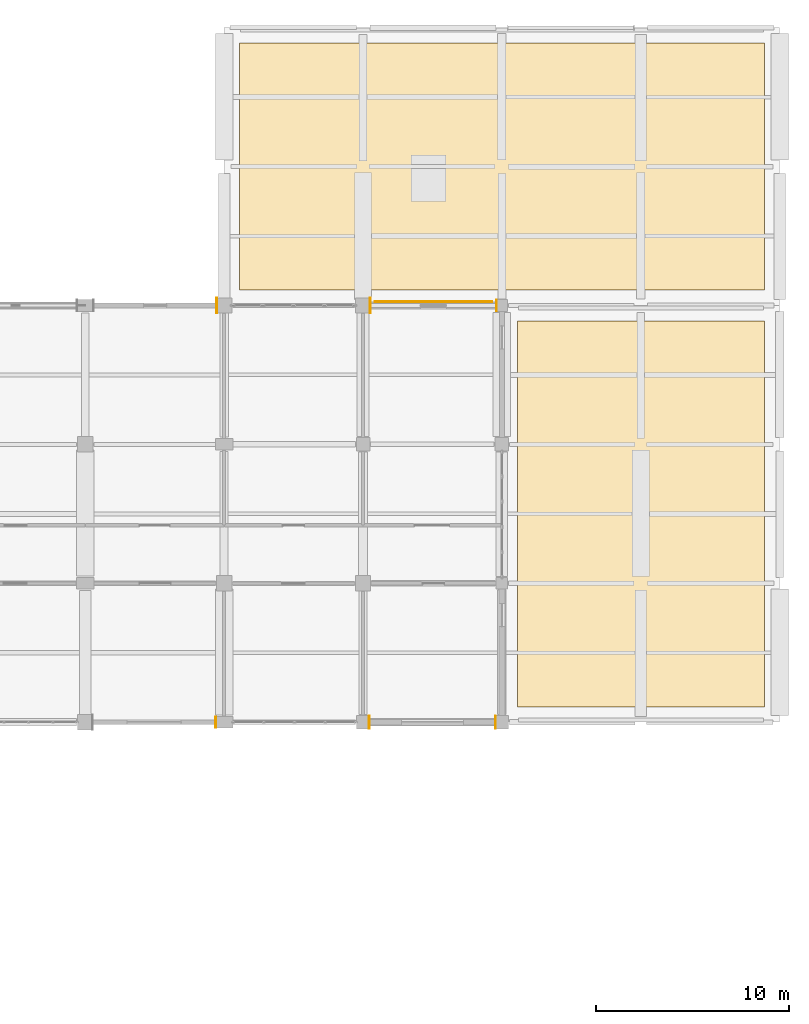
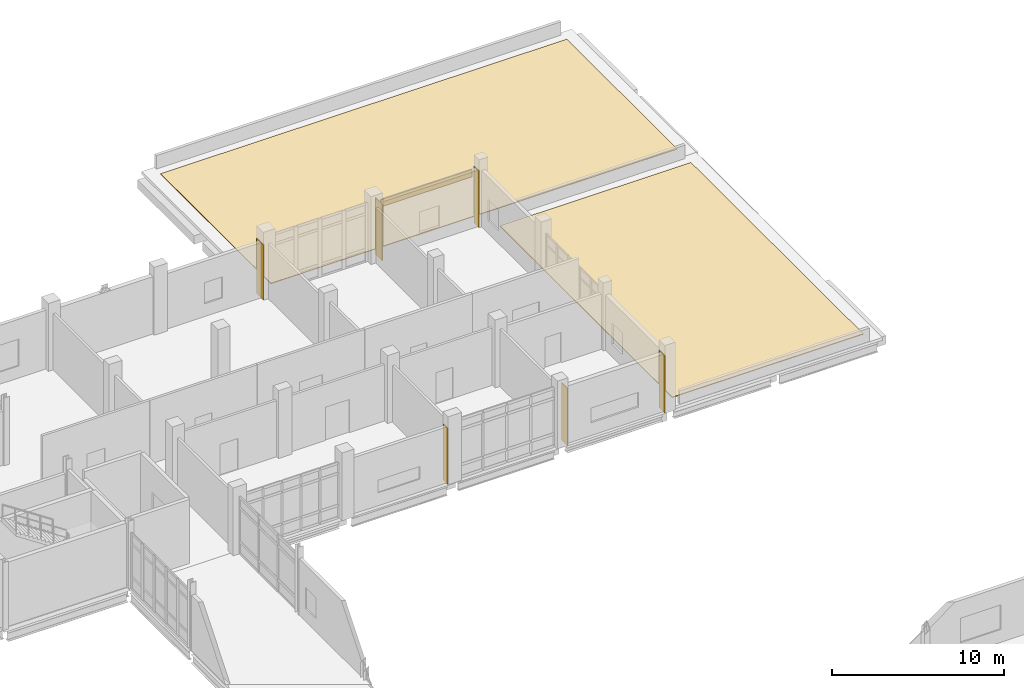
# One storey, part 186 of 186: 9 coverings.
"""IFC4 building model written with IfcOpenShell, lengths in metres."""

from ifc_helpers import new_model, si_unit, direction, frame, origin, origin_2d, place, context, subcontext, project, spatial, polyline, rectangle, outline, extrude, material, layer, layer_set, type_object, element, save


model = new_model("IFC4")

# Units and contexts
model_context = context("Model", 3, precision=1e-05, world=origin(), true_north=direction((0.0, 1.0)))
body_context = subcontext(model_context, "Body", "Model", "MODEL_VIEW")
ifc_project = project(units=[si_unit("LENGTHUNIT", "METRE"), si_unit("AREAUNIT", "SQUARE_METRE"), si_unit("VOLUMEUNIT", "CUBIC_METRE"), si_unit("PLANEANGLEUNIT", "RADIAN"), si_unit("MASSUNIT", "GRAM", prefix="KILO")], contexts=[model_context])

# Site, building, storey
site_placement = place(None, origin())
site = spatial("IfcSite", under=ifc_project, at=site_placement, CompositionType="ELEMENT")
building_placement = place(site_placement, origin())
building = spatial("IfcBuilding", under=site, at=building_placement, Name="Calvrana Isthmian Art Gallery", CompositionType="ELEMENT")
storey_placement = place(building_placement, frame((0.0, 0.0, 5.39990234375)))
storey = spatial("IfcBuildingStorey", under=building, at=storey_placement, Name="L01", CompositionType="ELEMENT", Elevation=5.39990234375)

# Coverings
ifc_material_1 = material(Name="Polychrome glazed terracotta", Category="masonry")
ifc_layer_1 = layer(ifc_material_1, 0.0400390625, Name="Polychrome glazed terracotta")
ifc_layer_set_1 = layer_set([ifc_layer_1], Name="Polychrome glazed terracotta")
covering_type_1 = type_object("IfcCoveringType", Name="COV-CLAD-TERRA", PredefinedType="CLADDING", material=ifc_layer_set_1)
covering_1_placement = place(storey_placement, origin())
element("IfcCovering", 1, at=covering_1_placement, inside=storey, type_object=covering_type_1, Name="Column pocket weather closure L01-16-10-E", PredefinedType="CLADDING", context=body_context, shape_type="SweptSolid", body=[
    extrude(outline(polyline([(133.949951171875, 76.5048828125), (133.989990234375, 76.5048828125), (133.989990234375, 77.094970703125), (133.949951171875, 77.094970703125), (133.949951171875, 76.5048828125)])), origin(), (0.0, 0.0, 1.0), 3.97119140625),
])
covering_2_placement = place(storey_placement, origin())
element("IfcCovering", 2, at=covering_2_placement, inside=storey, type_object=covering_type_1, Name="Column pocket weather closure L01-18-10-W", PredefinedType="CLADDING", context=body_context, shape_type="SweptSolid", body=[
    extrude(outline(polyline([(141.909912109375, 76.455078125), (141.949951171875, 76.455078125), (141.949951171875, 77.14501953125), (141.909912109375, 77.14501953125), (141.909912109375, 76.455078125)])), origin(), (0.0, 0.0, 1.0), 4.05810546875),
])
covering_3_placement = place(storey_placement, origin())
element("IfcCovering", 3, at=covering_3_placement, inside=storey, type_object=covering_type_1, Name="Column pocket weather closure L01-18-10-E", PredefinedType="CLADDING", context=body_context, shape_type="SweptSolid", body=[
    extrude(outline(polyline([(148.449951171875, 76.455078125), (148.489990234375, 76.455078125), (148.489990234375, 77.14501953125), (148.449951171875, 77.14501953125), (148.449951171875, 76.455078125)])), origin(), (0.0, 0.0, 1.0), 4.05810546875),
])
covering_4_placement = place(storey_placement, origin())
element("IfcCovering", 4, at=covering_4_placement, inside=storey, type_object=covering_type_1, Name="Column pocket weather closure L01-16-13-E", PredefinedType="CLADDING", context=body_context, shape_type="SweptSolid", body=[
    extrude(outline(polyline([(134.0, 98.0048828125), (134.0400390625, 98.0048828125), (134.0400390625, 98.794921875), (134.0, 98.794921875), (134.0, 98.0048828125)])), origin(), (0.0, 0.0, 1.0), 3.9130859375),
])
covering_5_placement = place(storey_placement, origin())
element("IfcCovering", 5, at=covering_5_placement, inside=storey, type_object=covering_type_1, Name="Column pocket weather closure L01-18-13-W", PredefinedType="CLADDING", context=body_context, shape_type="SweptSolid", body=[
    extrude(outline(polyline([(141.9599609375, 98.0048828125), (142.0, 98.0048828125), (142.0, 98.794921875), (141.9599609375, 98.794921875), (141.9599609375, 98.0048828125)])), origin(), (0.0, 0.0, 1.0), 3.987060546875),
])
covering_6_placement = place(storey_placement, origin())
element("IfcCovering", 6, at=covering_6_placement, inside=storey, type_object=covering_type_1, Name="Column pocket weather closure L01-18-13-E", PredefinedType="CLADDING", context=body_context, shape_type="SweptSolid", body=[
    extrude(outline(polyline([(148.5, 98.10498046875), (148.5400390625, 98.10498046875), (148.5400390625, 98.695068359375), (148.5, 98.695068359375), (148.5, 98.10498046875)])), origin(), (0.0, 0.0, 1.0), 3.987060546875),
])
covering_7_placement = place(storey_placement, frame((145.25, 98.593017578125, 3.38720703125), z_axis=(0.0, 0.0, 1.0), x_axis=(1.0, 0.0, 0.0)))
element("IfcCovering", 7, at=covering_7_placement, inside=storey, type_object=covering_type_1, Name="Terracotta spandrel cladding 085", PredefinedType="CLADDING", context=body_context, shape_type="SweptSolid", body=[
    extrude(rectangle(XDim=6.10009765625, YDim=0.0400390625, at=origin_2d()), origin(), (0.0, 0.0, 1.0), 0.5),
])
ifc_material_2 = material(Name="Standing-seam zinc-aluminium roofing", Category="aluminium")
ifc_layer_2 = layer(ifc_material_2, 0.050048828125, Name="Standing-seam zinc-aluminium roofing")
ifc_layer_set_2 = layer_set([ifc_layer_2], Name="Standing-seam zinc-aluminium roofing")
covering_type_2 = type_object("IfcCoveringType", Name="COV-ROOF-ZINC", PredefinedType="ROOFING", material=ifc_layer_set_2)
covering_8_placement = place(storey_placement, origin())
element("IfcCovering", 8, at=covering_8_placement, inside=storey, type_object=covering_type_2, Name="Insulated roof membrane ROOF_V5E_L01", PredefinedType="ROOFING", context=body_context, shape_type="SweptSolid", body=[
    extrude(outline(polyline([(149.60009765625, 77.60009765625), (162.39990234375, 77.60009765625), (162.39990234375, 97.60009765625), (149.60009765625, 97.60009765625), (149.60009765625, 77.60009765625)])), origin(), (0.0, 0.0, 1.0), 0.050048828125),
])
covering_9_placement = place(storey_placement, origin())
element("IfcCovering", 9, at=covering_9_placement, inside=storey, type_object=covering_type_2, Name="Insulated roof membrane ROOF_V5N_L01", PredefinedType="ROOFING", context=body_context, shape_type="SweptSolid", body=[
    extrude(outline(polyline([(135.199951171875, 99.199951171875), (162.39990234375, 99.199951171875), (162.39990234375, 112.0), (135.199951171875, 112.0), (135.199951171875, 99.199951171875)])), origin(), (0.0, 0.0, 1.0), 0.050048828125),
])

save(model, "model.ifc")
